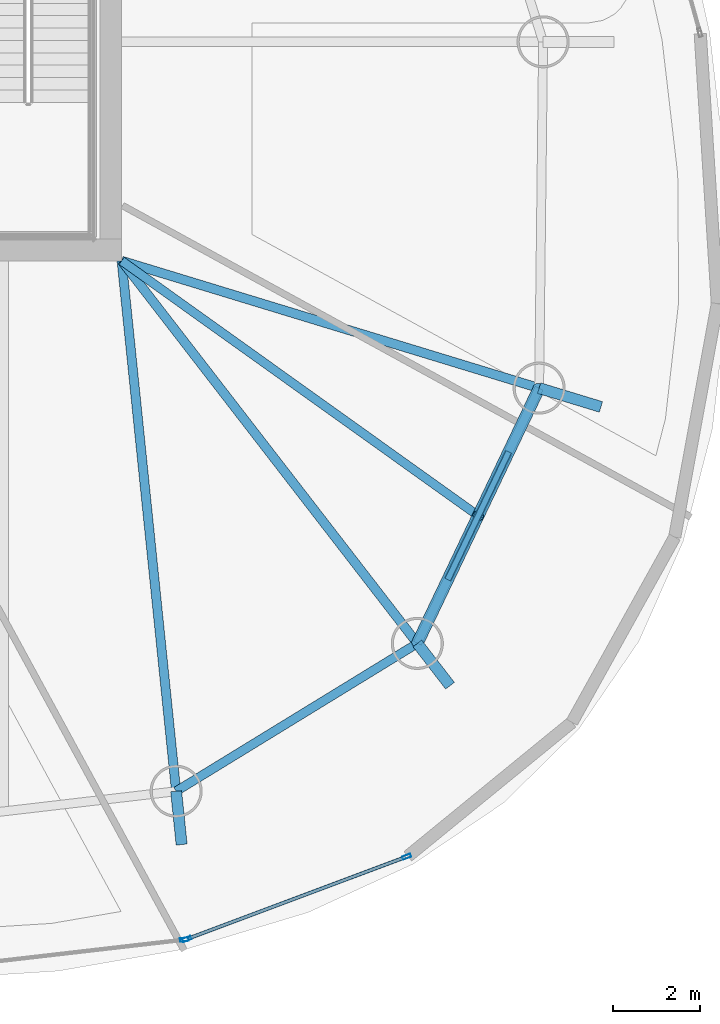
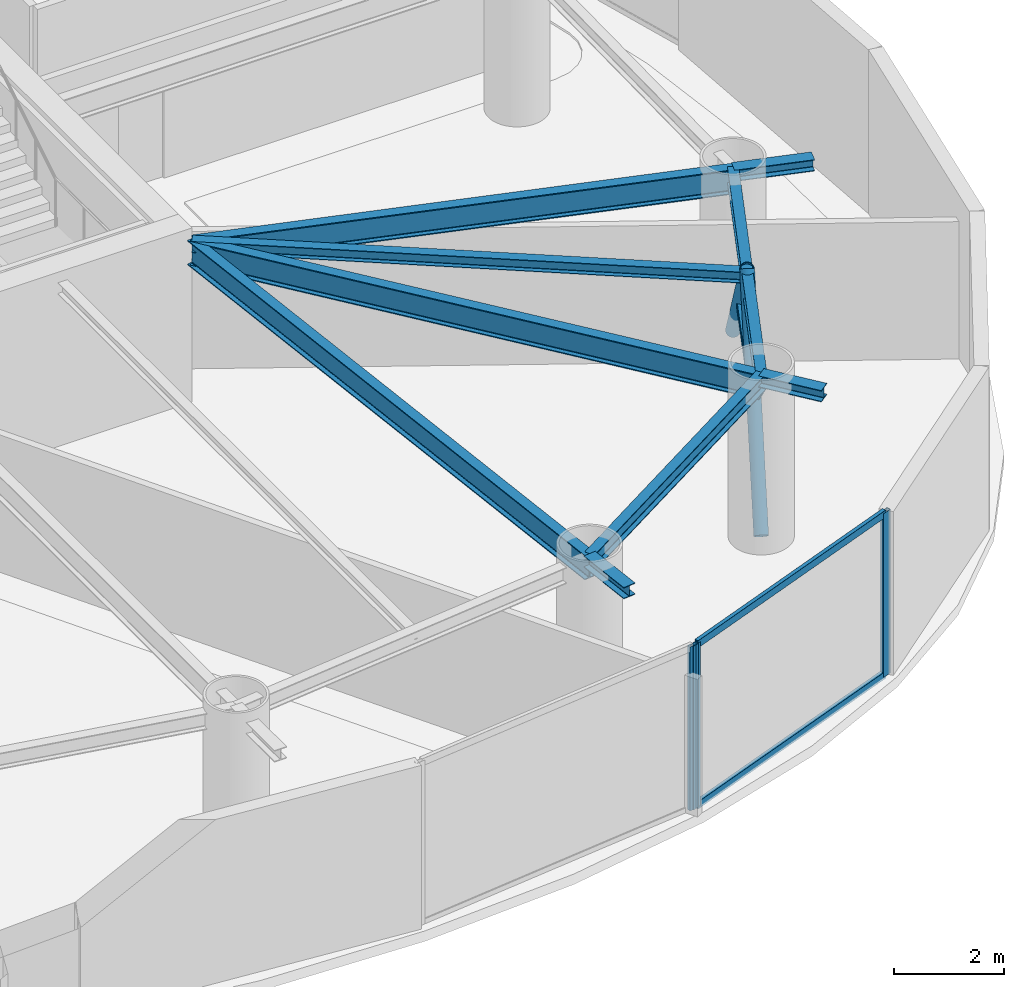
# One storey, part 7 of 22: 9 beams, 8 members, 2 elements without a shape of their own.
"""IFC4 building model written with IfcOpenShell, lengths in metres."""

import ifcopenshell
import ifcopenshell.guid

model = None  # the IFC model being written
_history = None  # IfcOwnerHistory: only IFC2X3 demands one
_inside = {}  # id of a spatial element -> (the spatial element, [elements in it])
_under = {}  # id of a project, library or spatial element -> (it, [spatial elements below it])
_declared = {}  # id of a project -> (the project, [libraries it declares])
_typed = {}  # id of a type object -> (the type object, [elements of that type])
_made_of = {}  # id of a material, layer set ... -> (it, [elements and type objects made of it])


def new_model(schema):
    """Start an empty IFC model of exactly this schema.

    Asked for "IFC4X3", IfcOpenShell would pick the latest addendum, in which some entities
    have other attributes; the version numbers below select the first issue.
    IFC2X3 requires an IfcOwnerHistory on every rooted entity: one is made here for all.
    """
    global model, _history
    if schema == "IFC4X3":
        model = ifcopenshell.file(schema_version=(4, 3, 0, 0))
    else:
        model = ifcopenshell.file(schema=schema)
    _inside.clear()
    _under.clear()
    _declared.clear()
    _typed.clear()
    _made_of.clear()
    _history = None
    if model.schema == "IFC2X3":
        org = make("IfcOrganization", Name="unknown")
        user = make(
            "IfcPersonAndOrganization",
            ThePerson=make("IfcPerson", FamilyName="unknown"),
            TheOrganization=org,
        )
        app = make(
            "IfcApplication",
            ApplicationDeveloper=org,
            Version="unknown",
            ApplicationFullName="unknown",
            ApplicationIdentifier="unknown",
        )
        _history = make(
            "IfcOwnerHistory",
            OwningUser=user,
            OwningApplication=app,
            ChangeAction="ADDED",
            CreationDate=0,
        )
    return model


def make(cls, **values):
    """One entity of the class cls with the attributes given. An attribute that is None is left unset."""
    return model.create_entity(
        cls, **{name: value for name, value in values.items() if value is not None}
    )


def rooted(cls, **values):
    """An entity with a GlobalId (a new one), such as an element, a storey or a relation."""
    return make(cls, GlobalId=ifcopenshell.guid.new(), OwnerHistory=_history, **values)


def si_unit(unit_type, name, prefix=None):
    """IfcSIUnit, for example si_unit("LENGTHUNIT", "METRE", prefix="MILLI")."""
    return make("IfcSIUnit", UnitType=unit_type, Prefix=prefix, Name=name)


def assignment(units):
    """IfcUnitAssignment: the units of a project."""
    return None if units is None else make("IfcUnitAssignment", Units=units)


def point(xyz):
    """IfcCartesianPoint."""
    return None if xyz is None else make("IfcCartesianPoint", Coordinates=xyz)


def direction(xyz):
    """IfcDirection."""
    return None if xyz is None else make("IfcDirection", DirectionRatios=xyz)


def frame(location, z_axis=None, x_axis=None):
    """IfcAxis2Placement3D, a coordinate frame: its origin and axes. An axis left out is left unset."""
    return make(
        "IfcAxis2Placement3D",
        Location=point(location),
        Axis=direction(z_axis),
        RefDirection=direction(x_axis),
    )


def frame_2d(location, x_axis=None):
    """IfcAxis2Placement2D, a coordinate frame in the plane: its origin and x axis."""
    return make(
        "IfcAxis2Placement2D", Location=point(location), RefDirection=direction(x_axis)
    )


def origin():
    """The frame at (0, 0, 0) with its axes left unset."""
    return frame((0.0, 0.0, 0.0))


def origin_2d():
    """The frame at (0, 0) in the plane with its x axis left unset."""
    return frame_2d((0.0, 0.0))


def place(relative_to, where):
    """IfcLocalPlacement: puts the frame where relative to a parent placement (None: the world)."""
    return make(
        "IfcLocalPlacement", PlacementRelTo=relative_to, RelativePlacement=where
    )


def context(
    kind, dimensions, precision=None, world=None, true_north=None, identifier=None
):
    """IfcGeometricRepresentationContext, for example the 3D "Model" context."""
    return make(
        "IfcGeometricRepresentationContext",
        ContextIdentifier=identifier,
        ContextType=kind,
        CoordinateSpaceDimension=dimensions,
        Precision=precision,
        WorldCoordinateSystem=world,
        TrueNorth=true_north,
    )


def subcontext(parent, identifier, kind, view, scale=None):
    """IfcGeometricRepresentationSubContext, for example "Body" below "Model"."""
    return make(
        "IfcGeometricRepresentationSubContext",
        ContextIdentifier=identifier,
        ContextType=kind,
        ParentContext=parent,
        TargetScale=scale,
        TargetView=view,
    )


def project(units=None, contexts=None):
    """IfcProject with its units and contexts."""
    return rooted(
        "IfcProject",
        Name="project",
        RepresentationContexts=contexts,
        UnitsInContext=assignment(units),
    )


def spatial(cls, under=None, at=None, **own):
    """A site, building, storey or space (cls), placed at a placement, below another one or the project."""
    s = rooted(cls, ObjectPlacement=at, **own)
    if under is not None:
        _under.setdefault(under.id(), (under, []))[1].append(s)
    return s


def profile(cls, at=None, kind="AREA", **sizes):
    """A parametric profile (cls). Its sizes go by their IFC names, for example OverallWidth=200.0."""
    return make(cls, ProfileType=kind, Position=at, **sizes)


def hollow_rectangle(**sizes):
    """IfcRectangleHollowProfileDef."""
    return profile("IfcRectangleHollowProfileDef", **sizes)


def hollow_circle(**sizes):
    """IfcCircleHollowProfileDef."""
    return profile("IfcCircleHollowProfileDef", **sizes)


def i_section(**sizes):
    """IfcIShapeProfileDef."""
    return profile("IfcIShapeProfileDef", **sizes)


def extrude(swept, where, along, depth):
    """IfcExtrudedAreaSolid: the profile swept, set in the frame where, extruded along a direction by depth."""
    return make(
        "IfcExtrudedAreaSolid",
        SweptArea=swept,
        Position=where,
        ExtrudedDirection=direction(along),
        Depth=depth,
    )


def shape(context_of_items, identifier, shape_type, items):
    """IfcShapeRepresentation: the items that make up one representation, for example the "Body"."""
    return make(
        "IfcShapeRepresentation",
        ContextOfItems=context_of_items,
        RepresentationIdentifier=identifier,
        RepresentationType=shape_type,
        Items=items,
    )


def material(Name=None, Category=None):
    """IfcMaterial."""
    return make("IfcMaterial", Name=Name, Category=Category)


def layer(
    of_material, thickness, ventilated=None, Name=None, Category=None, Priority=None
):
    """IfcMaterialLayer: one layer of a wall or slab, of a material (None: an air gap)."""
    return make(
        "IfcMaterialLayer",
        Material=of_material,
        LayerThickness=thickness,
        IsVentilated=ventilated,
        Name=Name,
        Category=Category,
        Priority=Priority,
    )


def layer_set(layers, Name=None):
    """IfcMaterialLayerSet."""
    return make("IfcMaterialLayerSet", MaterialLayers=layers, LayerSetName=Name)


def material_profile(
    of_material, cross_section, Name=None, Category=None, Priority=None
):
    """IfcMaterialProfile: a cross section and its material."""
    return make(
        "IfcMaterialProfile",
        Name=Name,
        Material=of_material,
        Profile=cross_section,
        Priority=Priority,
        Category=Category,
    )


def profile_set(profiles, Name=None, composite=None):
    """IfcMaterialProfileSet."""
    return make(
        "IfcMaterialProfileSet",
        Name=Name,
        MaterialProfiles=profiles,
        CompositeProfile=composite,
    )


def made_of(thing, what):
    """Note that an element or type object is made of a material, layer set ...; save() writes the relation."""
    if what is not None:
        _made_of.setdefault(what.id(), (what, []))[1].append(thing)
    return thing


def type_object(cls, material=None, **own):
    """A type object (cls), such as IfcWallType, which elements share."""
    return made_of(rooted(cls, **own), material)


def element(
    cls,
    number,
    at=None,
    inside=None,
    cuts=None,
    type_object=None,
    material=None,
    context=None,
    identifier="Body",
    shape_type=None,
    held_by="IfcProductDefinitionShape",
    body=None,
    shapes=None,
    **own,
):
    """One element of the class cls, such as IfcWall. Its Tag is "e" and its number.

    at: its placement. inside: the storey or other place that contains it. cuts: it is an
    opening in that element (IfcRelVoidsElement). A single representation is given by context,
    identifier, shape_type and body (its items); several are given by shapes. held_by: the class
    of the entity that holds the representations. save() writes the other relations.
    """
    e = rooted(cls, Tag="e%d" % number, ObjectPlacement=at, **own)
    if body is not None:
        shapes = [shape(context, identifier, shape_type, body)]
    if shapes is not None:
        e.Representation = make(held_by, Representations=shapes)
    if inside is not None:
        _inside.setdefault(inside.id(), (inside, []))[1].append(e)
    if cuts is not None:
        rooted(
            "IfcRelVoidsElement", RelatingBuildingElement=cuts, RelatedOpeningElement=e
        )
    if type_object is not None:
        _typed.setdefault(type_object.id(), (type_object, []))[1].append(e)
    return made_of(e, material)


def aggregate(whole, parts):
    """IfcRelAggregates: a whole, such as a stair, and the parts it consists of."""
    return rooted("IfcRelAggregates", RelatingObject=whole, RelatedObjects=parts)


def save(model, path):
    """Write the relations noted so far, then the file.

    IfcRelAggregates (storeys below a building ...), IfcRelContainedInSpatialStructure (elements
    in a storey), IfcRelDefinesByType, IfcRelAssociatesMaterial and IfcRelDeclares: one each for
    every whole, place, type object, material and project.
    """
    for whole, parts in _under.values():
        aggregate(whole, parts)
    for where, things in _inside.values():
        rooted(
            "IfcRelContainedInSpatialStructure",
            RelatedElements=things,
            RelatingStructure=where,
        )
    for kind, things in _typed.values():
        rooted("IfcRelDefinesByType", RelatedObjects=things, RelatingType=kind)
    for what, things in _made_of.values():
        rooted("IfcRelAssociatesMaterial", RelatedObjects=things, RelatingMaterial=what)
    for by, libraries in _declared.values():
        rooted("IfcRelDeclares", RelatingContext=by, RelatedDefinitions=libraries)
    model.write(path)


model = new_model("IFC4")

# Units and contexts
model_context = context("Model", 3, precision=1e-05, world=origin(), true_north=direction((0.0, 1.0)))
body_context = subcontext(model_context, "Body", "Model", "MODEL_VIEW")
ifc_project = project(units=[si_unit("LENGTHUNIT", "METRE"), si_unit("AREAUNIT", "SQUARE_METRE"), si_unit("VOLUMEUNIT", "CUBIC_METRE"), si_unit("PLANEANGLEUNIT", "RADIAN"), si_unit("MASSUNIT", "GRAM", prefix="KILO")], contexts=[model_context])

# Site, building, storey
site_placement = place(None, origin())
site = spatial("IfcSite", under=ifc_project, at=site_placement, CompositionType="ELEMENT")
building_placement = place(site_placement, origin())
building = spatial("IfcBuilding", under=site, at=building_placement, Name="Bramvorn Convention Spire", CompositionType="ELEMENT")
storey_placement = place(building_placement, frame((0.0, 0.0, 190.449951171875)))
storey = spatial("IfcBuildingStorey", under=building, at=storey_placement, Name="L48", CompositionType="ELEMENT", Elevation=190.449951171875)

# Beams
ifc_material_1 = material(Name="Steel CSA G40.21 Grade 350 (350W)", Category="steel")
ifc_material_profile_1 = material_profile(ifc_material_1, i_section(OverallWidth=0.201904296875, OverallDepth=0.2470703125, WebThickness=0.00732421875, FlangeThickness=0.010986328125, FilletRadius=0.011962890625, at=origin_2d()))
ifc_profile_set_1 = profile_set([ifc_material_profile_1], Name="Steel CSA G40.21 Grade 350 (350W) - W250X49")
beam_type_1 = type_object("IfcBeamType", Name="BM-W250X49", PredefinedType="JOIST", material=ifc_profile_set_1)
beam_1_placement = place(storey_placement, frame((49.25, 18.550048828125, 3.49658203125), z_axis=(0.813471895271, -0.581604225916, 0.0), x_axis=(0.581604225916, 0.813471895271, 0.0)))
element("IfcBeam", 1, at=beam_1_placement, inside=storey, type_object=beam_type_1, Name="L48 composite floor joist 01", PredefinedType="JOIST", context=body_context, shape_type="SweptSolid", body=[
    extrude(i_section(OverallWidth=0.201904296875, OverallDepth=0.2470703125, WebThickness=0.00732421875, FlangeThickness=0.010986328125, FilletRadius=0.011962890625, at=origin_2d()), origin(), (0.0, 0.0, 1.0), 10.093505859375),
])
ifc_material_profile_2 = material_profile(ifc_material_1, i_section(OverallWidth=0.25390625, OverallDepth=0.2529296875, WebThickness=0.008544921875, FlangeThickness=0.01416015625, FilletRadius=0.011962890625, at=origin_2d()))
ifc_profile_set_2 = profile_set([ifc_material_profile_2], Name="Steel CSA G40.21 Grade 350 (350W) - W250X73")
beam_type_2 = type_object("IfcBeamType", Name="BM-W250X73", PredefinedType="BEAM", material=ifc_profile_set_2)
beam_2_placement = place(storey_placement, frame((56.058349609375, 9.739990234375, 3.49365234375), z_axis=(0.611645040792, -0.791132317678, 0.0), x_axis=(0.791132317678, 0.611645040792, 0.0)))
element("IfcBeam", 2, at=beam_2_placement, inside=storey, type_object=beam_type_2, Name="L48 slab-edge cantilever tip beam MC01", PredefinedType="BEAM", context=body_context, shape_type="SweptSolid", body=[
    extrude(i_section(OverallWidth=0.25390625, OverallDepth=0.2529296875, WebThickness=0.008544921875, FlangeThickness=0.01416015625, FilletRadius=0.011962890625, at=origin_2d()), origin(), (0.0, 0.0, 1.0), 1.23095703125),
])
beam_3_placement = place(storey_placement, frame((58.863037109375, 15.619384765625, 3.49365234375), z_axis=(0.956584399381, -0.29145546291, 0.0), x_axis=(0.29145546291, 0.956584399381, 0.0)))
element("IfcBeam", 3, at=beam_3_placement, inside=storey, type_object=beam_type_2, Name="L48 slab-edge cantilever tip beam MC02", PredefinedType="BEAM", context=body_context, shape_type="SweptSolid", body=[
    extrude(i_section(OverallWidth=0.25390625, OverallDepth=0.2529296875, WebThickness=0.008544921875, FlangeThickness=0.01416015625, FilletRadius=0.011962890625, at=origin_2d()), origin(), (0.0, 0.0, 1.0), 1.48779296875),
])
beam_4_placement = place(storey_placement, frame((50.50439453125, 6.336181640625, 3.49365234375), z_axis=(0.102264760522, -0.994757215986, 0.0), x_axis=(0.994757215986, 0.102264760522, 0.0)))
element("IfcBeam", 4, at=beam_4_placement, inside=storey, type_object=beam_type_2, Name="L48 slab-edge cantilever tip beam MC16", PredefinedType="BEAM", context=body_context, shape_type="SweptSolid", body=[
    extrude(i_section(OverallWidth=0.25390625, OverallDepth=0.2529296875, WebThickness=0.008544921875, FlangeThickness=0.01416015625, FilletRadius=0.011962890625, at=origin_2d()), origin(), (0.0, 0.0, 1.0), 1.234375),
])
ifc_material_profile_3 = material_profile(ifc_material_1, i_section(OverallWidth=0.205078125, OverallDepth=0.35400390625, WebThickness=0.009521484375, FlangeThickness=0.016845703125, FilletRadius=0.014892578125, at=origin_2d()))
ifc_profile_set_3 = profile_set([ifc_material_profile_3], Name="Steel CSA G40.21 Grade 350 (350W) - W360X79")
beam_type_3 = type_object("IfcBeamType", Name="BM-W360X79", PredefinedType="JOIST", material=ifc_profile_set_3)
beam_5_placement = place(storey_placement, frame((56.058349609375, 9.739990234375, 3.443115234375), z_axis=(0.430556138422, 0.902563799223, 0.0), x_axis=(-0.902563799223, 0.430556138422, 0.0)))
element("IfcBeam", 5, at=beam_5_placement, inside=storey, type_object=beam_type_3, Name="L48 mega-column ring beam 01", PredefinedType="JOIST", context=body_context, shape_type="SweptSolid", body=[
    extrude(i_section(OverallWidth=0.205078125, OverallDepth=0.35400390625, WebThickness=0.009521484375, FlangeThickness=0.016845703125, FilletRadius=0.014892578125, at=origin_2d()), origin(), (0.0, 0.0, 1.0), 6.51416015625),
])
beam_6_placement = place(storey_placement, frame((50.50439453125, 6.336181640625, 3.443115234375), z_axis=(0.852616873135, 0.522536570629, 0.0), x_axis=(-0.522536570629, 0.852616873135, 0.0)))
element("IfcBeam", 6, at=beam_6_placement, inside=storey, type_object=beam_type_3, Name="L48 mega-column ring beam 16", PredefinedType="JOIST", context=body_context, shape_type="SweptSolid", body=[
    extrude(i_section(OverallWidth=0.205078125, OverallDepth=0.35400390625, WebThickness=0.009521484375, FlangeThickness=0.016845703125, FilletRadius=0.014892578125, at=origin_2d()), origin(), (0.0, 0.0, 1.0), 6.513916015625),
])
ifc_material_profile_4 = material_profile(ifc_material_1, i_section(OverallWidth=0.2119140625, OverallDepth=0.5439453125, WebThickness=0.01318359375, FlangeThickness=0.021240234375, FilletRadius=0.01904296875, at=origin_2d()))
ifc_profile_set_4 = profile_set([ifc_material_profile_4], Name="Steel CSA G40.21 Grade 350 (350W) - W530X123")
beam_type_4 = type_object("IfcBeamType", Name="BM-W530X123", PredefinedType="BEAM", material=ifc_profile_set_4)
beam_7_placement = place(storey_placement, frame((49.25, 18.550048828125, 3.34814453125), z_axis=(0.611479951477, -0.791259925019, 0.0), x_axis=(0.791259925019, 0.611479951477, 0.0)))
element("IfcBeam", 7, at=beam_7_placement, inside=storey, type_object=beam_type_4, Name="L48 radial floor girder MC01", PredefinedType="BEAM", context=body_context, shape_type="SweptSolid", body=[
    extrude(i_section(OverallWidth=0.2119140625, OverallDepth=0.5439453125, WebThickness=0.01318359375, FlangeThickness=0.021240234375, FilletRadius=0.01904296875, at=origin_2d()), origin(), (0.0, 0.0, 1.0), 11.13427734375),
])
beam_8_placement = place(storey_placement, frame((49.25, 18.550048828125, 3.34814453125), z_axis=(0.95653637984, -0.291613021044, 0.0), x_axis=(0.291613021044, 0.95653637984, 0.0)))
element("IfcBeam", 8, at=beam_8_placement, inside=storey, type_object=beam_type_4, Name="L48 radial floor girder MC02", PredefinedType="BEAM", context=body_context, shape_type="SweptSolid", body=[
    extrude(i_section(OverallWidth=0.2119140625, OverallDepth=0.5439453125, WebThickness=0.01318359375, FlangeThickness=0.021240234375, FilletRadius=0.01904296875, at=origin_2d()), origin(), (0.0, 0.0, 1.0), 10.0498046875),
])
beam_9_placement = place(storey_placement, frame((49.25, 18.550048828125, 3.34814453125), z_axis=(0.10216509146, -0.994767457292, 0.0), x_axis=(0.994767457292, 0.10216509146, 0.0)))
element("IfcBeam", 9, at=beam_9_placement, inside=storey, type_object=beam_type_4, Name="L48 radial floor girder MC16", PredefinedType="BEAM", context=body_context, shape_type="SweptSolid", body=[
    extrude(i_section(OverallWidth=0.2119140625, OverallDepth=0.5439453125, WebThickness=0.01318359375, FlangeThickness=0.021240234375, FilletRadius=0.01904296875, at=origin_2d()), origin(), (0.0, 0.0, 1.0), 12.278076171875),
])

# Curtain wall, member
ifc_material_2 = material(Name="Anodised Bronze Unitised Curtain Wall", Category="aluminium")
ifc_layer = layer(ifc_material_2, 0.179931640625)
ifc_layer_set = layer_set([ifc_layer], Name="Anodised Bronze Unitised Curtain Wall - CW-OFF-FRIT")
curtain_wall_type = type_object("IfcCurtainWallType", Name="CW-OFF-FRIT", PredefinedType="USERDEFINED", material=ifc_layer_set)
curtain_wall_1_placement = place(storey_placement, origin())
curtain_wall_1 = element("IfcCurtainWall", 10, at=curtain_wall_1_placement, inside=storey, type_object=curtain_wall_type, Name="L48 fritted glass curtain wall 22", ObjectType="UNITISED CURTAIN WALL", PredefinedType="USERDEFINED")
ifc_material_3 = material(Name="Anodised Bronze Aluminium 6063-T6", Category="aluminium")
ifc_material_profile_5 = material_profile(ifc_material_3, hollow_rectangle(XDim=0.080078125, YDim=0.199951171875, WallThickness=0.00390625, InnerFilletRadius=0.0009765625, OuterFilletRadius=0.00390625, at=origin_2d()))
ifc_profile_set_5 = profile_set([ifc_material_profile_5], Name="Anodised Bronze Aluminium 6063-T6 - CWM80X200")
member_type_1 = type_object("IfcMemberType", Name="CW-MUL-180", PredefinedType="MULLION", material=ifc_profile_set_5)
member_1_placement = place(storey_placement, frame((50.69482421875, 2.91845703125, 0.0), z_axis=(0.0, 0.0, 1.0), x_axis=(0.114576558999, -0.993414421139, 0.0)))
member_1 = element("IfcMember", 11, at=member_1_placement, type_object=member_type_1, Name="CW3 mullion 1", PredefinedType="MULLION", context=body_context, shape_type="SweptSolid", body=[
    extrude(hollow_rectangle(XDim=0.080078125, YDim=0.199951171875, WallThickness=0.00390625, InnerFilletRadius=0.0009765625, OuterFilletRadius=0.00390625, at=origin_2d()), origin(), (0.0, 0.0, 1.0), 3.6201171875),
])
aggregate(curtain_wall_1, [member_1])

# Curtain wall, members
curtain_wall_2_placement = place(storey_placement, origin())
curtain_wall_2 = element("IfcCurtainWall", 12, at=curtain_wall_2_placement, inside=storey, type_object=curtain_wall_type, Name="L48 fritted glass curtain wall 23", ObjectType="UNITISED CURTAIN WALL", PredefinedType="USERDEFINED")
member_2_placement = place(storey_placement, frame((55.8134765625, 4.829345703125, 0.0), z_axis=(0.0, 0.0, 1.0), x_axis=(0.350956981439, -0.936391583249, 0.0)))
member_2 = element("IfcMember", 13, at=member_2_placement, type_object=member_type_1, Name="CW3 mullion 1", PredefinedType="MULLION", context=body_context, shape_type="SweptSolid", body=[
    extrude(hollow_rectangle(XDim=0.080078125, YDim=0.199951171875, WallThickness=0.00390625, InnerFilletRadius=0.0009765625, OuterFilletRadius=0.00390625, at=origin_2d()), origin(), (0.0, 0.0, 1.0), 3.6201171875),
])
member_3_placement = place(storey_placement, frame((50.752685546875, 2.9326171875, 0.0), z_axis=(0.0, 0.0, 1.0), x_axis=(0.350956981439, -0.936391583249, 0.0)))
member_3 = element("IfcMember", 14, at=member_3_placement, type_object=member_type_1, Name="CW3 mullion 2", PredefinedType="MULLION", context=body_context, shape_type="SweptSolid", body=[
    extrude(hollow_rectangle(XDim=0.080078125, YDim=0.199951171875, WallThickness=0.00390625, InnerFilletRadius=0.0009765625, OuterFilletRadius=0.00390625, at=origin_2d()), origin(), (0.0, 0.0, 1.0), 3.6201171875),
])
ifc_material_profile_6 = material_profile(ifc_material_3, hollow_rectangle(XDim=0.080078125, YDim=0.159912109375, WallThickness=0.00390625, InnerFilletRadius=0.0009765625, OuterFilletRadius=0.00390625, at=origin_2d()))
ifc_profile_set_6 = profile_set([ifc_material_profile_6], Name="Anodised Bronze Aluminium 6063-T6 - CWT80X160")
member_type_2 = type_object("IfcMemberType", Name="CW-TRN-150", PredefinedType="USERDEFINED", material=ifc_profile_set_6)
member_4_placement = place(storey_placement, frame((55.785400390625, 4.81884765625, 0.030029296875), z_axis=(-0.936391112373, -0.350958237785, 0.0), x_axis=(0.350958237785, -0.936391112373, 0.0)))
member_4 = element("IfcMember", 15, at=member_4_placement, type_object=member_type_2, Name="CW3 transom 1.1", ObjectType="TRANSOM", PredefinedType="USERDEFINED", context=body_context, shape_type="SweptSolid", body=[
    extrude(hollow_rectangle(XDim=0.080078125, YDim=0.159912109375, WallThickness=0.00390625, InnerFilletRadius=0.0009765625, OuterFilletRadius=0.00390625, at=origin_2d()), origin(), (0.0, 0.0, 1.0), 5.344482421875),
])
member_5_placement = place(storey_placement, frame((55.785400390625, 4.81884765625, 3.590087890625), z_axis=(-0.936391112373, -0.350958237785, 0.0), x_axis=(0.350958237785, -0.936391112373, 0.0)))
member_5 = element("IfcMember", 16, at=member_5_placement, type_object=member_type_2, Name="CW3 transom 1.2", ObjectType="TRANSOM", PredefinedType="USERDEFINED", context=body_context, shape_type="SweptSolid", body=[
    extrude(hollow_rectangle(XDim=0.080078125, YDim=0.159912109375, WallThickness=0.00390625, InnerFilletRadius=0.0009765625, OuterFilletRadius=0.00390625, at=origin_2d()), origin(), (0.0, 0.0, 1.0), 5.344482421875),
])
aggregate(curtain_wall_2, [member_2, member_3, member_4, member_5])

# Members
ifc_material_profile_7 = material_profile(ifc_material_1, hollow_circle(Radius=0.136474609375, WallThickness=0.0126953125, at=origin_2d()))
ifc_profile_set_7 = profile_set([ifc_material_profile_7], Name="Steel CSA G40.21 Grade 350 (350W) - CHS273X13")
member_type_3 = type_object("IfcMemberType", Name="MBR-CHS273X13", PredefinedType="BRACE", material=ifc_profile_set_7)
for number, where, z_axis, x_axis, name in (
    (17, (56.058349609375, 9.739990234375, 0.0), (0.287975409459, 0.603675470978, 0.743401701159), (-0.902563799223, 0.430556138422, 0.0), "L48 perimeter Gothic lancet brace 1A"),
    (18, (58.863037109375, 15.619384765625, 0.0), (-0.287975409459, -0.603675470978, 0.743401701159), (0.902563799223, -0.430556138422, 0.0), "L48 perimeter Gothic lancet brace 1B"),
):
    element("IfcMember", number, at=place(storey_placement, frame(where, z_axis=z_axis, x_axis=x_axis)), inside=storey, type_object=member_type_3, Name=name, PredefinedType="BRACE", context=body_context, shape_type="SweptSolid", body=[
        extrude(hollow_circle(Radius=0.136474609375, WallThickness=0.0126953125, at=origin_2d()), origin(), (0.0, 0.0, 1.0), 4.86962890625),
    ])
ifc_material_profile_8 = material_profile(ifc_material_1, hollow_rectangle(XDim=0.15234375, YDim=0.15234375, WallThickness=0.009521484375, InnerFilletRadius=0.009521484375, OuterFilletRadius=0.01904296875, at=origin_2d()))
ifc_profile_set_8 = profile_set([ifc_material_profile_8], Name="Steel CSA G40.21 Grade 350 (350W) - HSS152X152X9.5")
member_type_4 = type_object("IfcMemberType", Name="MBR-HSS152X152X9.5", PredefinedType="STRUT", material=ifc_profile_set_8)
member_6_placement = place(storey_placement, frame((56.759521484375, 11.2099609375, 1.81005859375), z_axis=(0.430556138422, 0.902563799223, 0.0), x_axis=(-0.902563799223, 0.430556138422, 0.0)))
element("IfcMember", 19, at=member_6_placement, inside=storey, type_object=member_type_4, Name="L48 lancet mid-height collar tie 1", PredefinedType="STRUT", context=body_context, shape_type="SweptSolid", body=[
    extrude(hollow_rectangle(XDim=0.15234375, YDim=0.15234375, WallThickness=0.009521484375, InnerFilletRadius=0.009521484375, OuterFilletRadius=0.01904296875, at=origin_2d()), origin(), (0.0, 0.0, 1.0), 3.257080078125),
])

save(model, "model.ifc")
